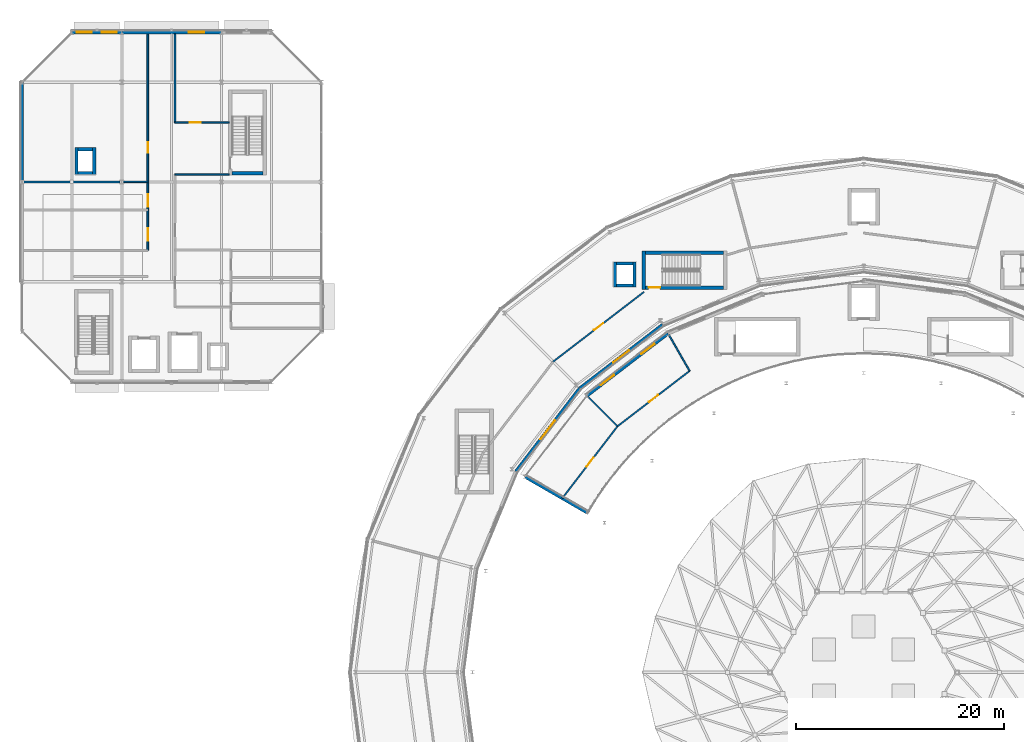
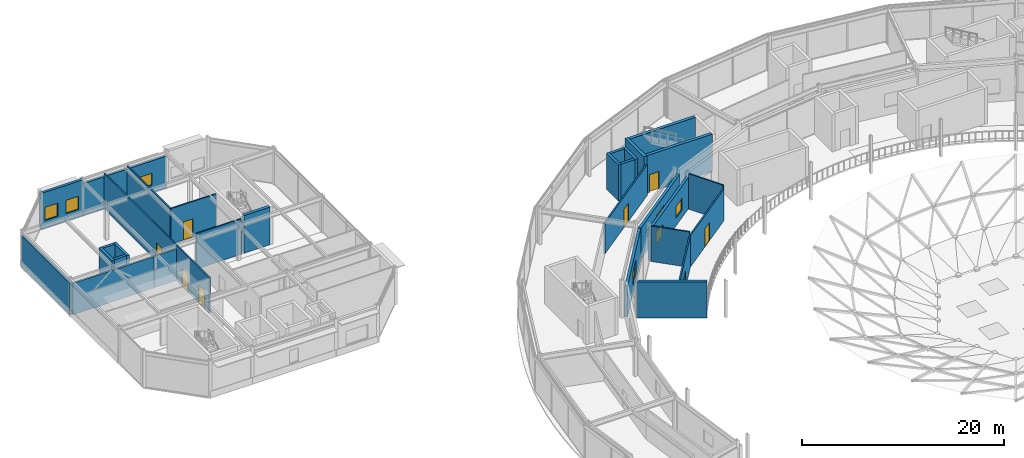
# One storey, part 85 of 116: 30 walls, 8 doors, 7 windows, 15 openings.
"""IFC4 building model written with IfcOpenShell, lengths in metres."""

import ifcopenshell
import ifcopenshell.guid

model = None  # the IFC model being written
_history = None  # IfcOwnerHistory: only IFC2X3 demands one
_inside = {}  # id of a spatial element -> (the spatial element, [elements in it])
_under = {}  # id of a project, library or spatial element -> (it, [spatial elements below it])
_declared = {}  # id of a project -> (the project, [libraries it declares])
_typed = {}  # id of a type object -> (the type object, [elements of that type])
_made_of = {}  # id of a material, layer set ... -> (it, [elements and type objects made of it])


def new_model(schema):
    """Start an empty IFC model of exactly this schema.

    Asked for "IFC4X3", IfcOpenShell would pick the latest addendum, in which some entities
    have other attributes; the version numbers below select the first issue.
    IFC2X3 requires an IfcOwnerHistory on every rooted entity: one is made here for all.
    """
    global model, _history
    if schema == "IFC4X3":
        model = ifcopenshell.file(schema_version=(4, 3, 0, 0))
    else:
        model = ifcopenshell.file(schema=schema)
    _inside.clear()
    _under.clear()
    _declared.clear()
    _typed.clear()
    _made_of.clear()
    _history = None
    if model.schema == "IFC2X3":
        org = make("IfcOrganization", Name="unknown")
        user = make(
            "IfcPersonAndOrganization",
            ThePerson=make("IfcPerson", FamilyName="unknown"),
            TheOrganization=org,
        )
        app = make(
            "IfcApplication",
            ApplicationDeveloper=org,
            Version="unknown",
            ApplicationFullName="unknown",
            ApplicationIdentifier="unknown",
        )
        _history = make(
            "IfcOwnerHistory",
            OwningUser=user,
            OwningApplication=app,
            ChangeAction="ADDED",
            CreationDate=0,
        )
    return model


def make(cls, **values):
    """One entity of the class cls with the attributes given. An attribute that is None is left unset."""
    return model.create_entity(
        cls, **{name: value for name, value in values.items() if value is not None}
    )


def rooted(cls, **values):
    """An entity with a GlobalId (a new one), such as an element, a storey or a relation."""
    return make(cls, GlobalId=ifcopenshell.guid.new(), OwnerHistory=_history, **values)


def si_unit(unit_type, name, prefix=None):
    """IfcSIUnit, for example si_unit("LENGTHUNIT", "METRE", prefix="MILLI")."""
    return make("IfcSIUnit", UnitType=unit_type, Prefix=prefix, Name=name)


def assignment(units):
    """IfcUnitAssignment: the units of a project."""
    return None if units is None else make("IfcUnitAssignment", Units=units)


def point(xyz):
    """IfcCartesianPoint."""
    return None if xyz is None else make("IfcCartesianPoint", Coordinates=xyz)


def direction(xyz):
    """IfcDirection."""
    return None if xyz is None else make("IfcDirection", DirectionRatios=xyz)


def frame(location, z_axis=None, x_axis=None):
    """IfcAxis2Placement3D, a coordinate frame: its origin and axes. An axis left out is left unset."""
    return make(
        "IfcAxis2Placement3D",
        Location=point(location),
        Axis=direction(z_axis),
        RefDirection=direction(x_axis),
    )


def frame_2d(location, x_axis=None):
    """IfcAxis2Placement2D, a coordinate frame in the plane: its origin and x axis."""
    return make(
        "IfcAxis2Placement2D", Location=point(location), RefDirection=direction(x_axis)
    )


def origin():
    """The frame at (0, 0, 0) with its axes left unset."""
    return frame((0.0, 0.0, 0.0))


def place(relative_to, where):
    """IfcLocalPlacement: puts the frame where relative to a parent placement (None: the world)."""
    return make(
        "IfcLocalPlacement", PlacementRelTo=relative_to, RelativePlacement=where
    )


def context(
    kind, dimensions, precision=None, world=None, true_north=None, identifier=None
):
    """IfcGeometricRepresentationContext, for example the 3D "Model" context."""
    return make(
        "IfcGeometricRepresentationContext",
        ContextIdentifier=identifier,
        ContextType=kind,
        CoordinateSpaceDimension=dimensions,
        Precision=precision,
        WorldCoordinateSystem=world,
        TrueNorth=true_north,
    )


def subcontext(parent, identifier, kind, view, scale=None):
    """IfcGeometricRepresentationSubContext, for example "Body" below "Model"."""
    return make(
        "IfcGeometricRepresentationSubContext",
        ContextIdentifier=identifier,
        ContextType=kind,
        ParentContext=parent,
        TargetScale=scale,
        TargetView=view,
    )


def project(units=None, contexts=None):
    """IfcProject with its units and contexts."""
    return rooted(
        "IfcProject",
        Name="project",
        RepresentationContexts=contexts,
        UnitsInContext=assignment(units),
    )


def spatial(cls, under=None, at=None, **own):
    """A site, building, storey or space (cls), placed at a placement, below another one or the project."""
    s = rooted(cls, ObjectPlacement=at, **own)
    if under is not None:
        _under.setdefault(under.id(), (under, []))[1].append(s)
    return s


def profile(cls, at=None, kind="AREA", **sizes):
    """A parametric profile (cls). Its sizes go by their IFC names, for example OverallWidth=200.0."""
    return make(cls, ProfileType=kind, Position=at, **sizes)


def rectangle(**sizes):
    """IfcRectangleProfileDef."""
    return profile("IfcRectangleProfileDef", **sizes)


def extrude(swept, where, along, depth):
    """IfcExtrudedAreaSolid: the profile swept, set in the frame where, extruded along a direction by depth."""
    return make(
        "IfcExtrudedAreaSolid",
        SweptArea=swept,
        Position=where,
        ExtrudedDirection=direction(along),
        Depth=depth,
    )


def shape(context_of_items, identifier, shape_type, items):
    """IfcShapeRepresentation: the items that make up one representation, for example the "Body"."""
    return make(
        "IfcShapeRepresentation",
        ContextOfItems=context_of_items,
        RepresentationIdentifier=identifier,
        RepresentationType=shape_type,
        Items=items,
    )


def material(Name=None, Category=None):
    """IfcMaterial."""
    return make("IfcMaterial", Name=Name, Category=Category)


def layer(
    of_material, thickness, ventilated=None, Name=None, Category=None, Priority=None
):
    """IfcMaterialLayer: one layer of a wall or slab, of a material (None: an air gap)."""
    return make(
        "IfcMaterialLayer",
        Material=of_material,
        LayerThickness=thickness,
        IsVentilated=ventilated,
        Name=Name,
        Category=Category,
        Priority=Priority,
    )


def layer_set(layers, Name=None):
    """IfcMaterialLayerSet."""
    return make("IfcMaterialLayerSet", MaterialLayers=layers, LayerSetName=Name)


def made_of(thing, what):
    """Note that an element or type object is made of a material, layer set ...; save() writes the relation."""
    if what is not None:
        _made_of.setdefault(what.id(), (what, []))[1].append(thing)
    return thing


def type_object(cls, material=None, **own):
    """A type object (cls), such as IfcWallType, which elements share."""
    return made_of(rooted(cls, **own), material)


def element(
    cls,
    number,
    at=None,
    inside=None,
    cuts=None,
    type_object=None,
    material=None,
    context=None,
    identifier="Body",
    shape_type=None,
    held_by="IfcProductDefinitionShape",
    body=None,
    shapes=None,
    **own,
):
    """One element of the class cls, such as IfcWall. Its Tag is "e" and its number.

    at: its placement. inside: the storey or other place that contains it. cuts: it is an
    opening in that element (IfcRelVoidsElement). A single representation is given by context,
    identifier, shape_type and body (its items); several are given by shapes. held_by: the class
    of the entity that holds the representations. save() writes the other relations.
    """
    e = rooted(cls, Tag="e%d" % number, ObjectPlacement=at, **own)
    if body is not None:
        shapes = [shape(context, identifier, shape_type, body)]
    if shapes is not None:
        e.Representation = make(held_by, Representations=shapes)
    if inside is not None:
        _inside.setdefault(inside.id(), (inside, []))[1].append(e)
    if cuts is not None:
        rooted(
            "IfcRelVoidsElement", RelatingBuildingElement=cuts, RelatedOpeningElement=e
        )
    if type_object is not None:
        _typed.setdefault(type_object.id(), (type_object, []))[1].append(e)
    return made_of(e, material)


def fill(opening, filler):
    """IfcRelFillsElement: the door or window that sits in an opening."""
    return rooted(
        "IfcRelFillsElement",
        RelatingOpeningElement=opening,
        RelatedBuildingElement=filler,
    )


def aggregate(whole, parts):
    """IfcRelAggregates: a whole, such as a stair, and the parts it consists of."""
    return rooted("IfcRelAggregates", RelatingObject=whole, RelatedObjects=parts)


def save(model, path):
    """Write the relations noted so far, then the file.

    IfcRelAggregates (storeys below a building ...), IfcRelContainedInSpatialStructure (elements
    in a storey), IfcRelDefinesByType, IfcRelAssociatesMaterial and IfcRelDeclares: one each for
    every whole, place, type object, material and project.
    """
    for whole, parts in _under.values():
        aggregate(whole, parts)
    for where, things in _inside.values():
        rooted(
            "IfcRelContainedInSpatialStructure",
            RelatedElements=things,
            RelatingStructure=where,
        )
    for kind, things in _typed.values():
        rooted("IfcRelDefinesByType", RelatedObjects=things, RelatingType=kind)
    for what, things in _made_of.values():
        rooted("IfcRelAssociatesMaterial", RelatedObjects=things, RelatingMaterial=what)
    for by, libraries in _declared.values():
        rooted("IfcRelDeclares", RelatingContext=by, RelatedDefinitions=libraries)
    model.write(path)


model = new_model("IFC4")

# Units and contexts
model_context = context("Model", 3, precision=1e-05, world=origin(), true_north=direction((0.0, 1.0)))
body_context = subcontext(model_context, "Body", "Model", "MODEL_VIEW")
ifc_project = project(units=[si_unit("LENGTHUNIT", "METRE"), si_unit("AREAUNIT", "SQUARE_METRE"), si_unit("VOLUMEUNIT", "CUBIC_METRE"), si_unit("PLANEANGLEUNIT", "RADIAN"), si_unit("MASSUNIT", "GRAM", prefix="KILO")], contexts=[model_context])

# Site, building, storey
site_placement = place(None, origin())
site = spatial("IfcSite", under=ifc_project, at=site_placement, CompositionType="ELEMENT")
building_placement = place(site_placement, origin())
building = spatial("IfcBuilding", under=site, at=building_placement, Name="Almandine Court Research Institute", CompositionType="ELEMENT")
storey_placement = place(building_placement, frame((0.0, 0.0, 14.35009765625)))
storey = spatial("IfcBuildingStorey", under=building, at=storey_placement, Name="L03", CompositionType="ELEMENT", Elevation=14.35009765625)

# Wall
ifc_material_1 = material(Name="Insulated Ochre Terracotta Rainscreen Wall", Category="masonry")
ifc_layer_1 = layer(ifc_material_1, 0.2900390625)
ifc_layer_set_1 = layer_set([ifc_layer_1], Name="Insulated Ochre Terracotta Rainscreen Wall")
wall_type_1 = type_object("IfcWallType", Name="Wall-EXT-TERR-290", PredefinedType="SOLIDWALL", material=ifc_layer_set_1)
wall_1_placement = place(storey_placement, frame((6.0, 103.2041015625, 0.0), z_axis=(0.0, 0.0, 1.0), x_axis=(0.0, 1.0, 0.0)))
element("IfcWall", 1, at=wall_1_placement, inside=storey, type_object=wall_type_1, Name="L03 Cleanroom West Wall 3", PredefinedType="SOLIDWALL", context=body_context, shape_type="SweptSolid", body=[
    extrude(rectangle(XDim=9.591796875, YDim=0.2900390625, at=frame_2d((4.7958984375, 0.0))), origin(), (0.0, 0.0, 1.0), 3.8837890625),
])

# Wall, openings, windows
wall_2_placement = place(storey_placement, frame((10.803955078125, 117.60009765625, 0.0), z_axis=(0.0, 0.0, 1.0), x_axis=(1.0, 0.0, 0.0)))
wall_2 = element("IfcWall", 2, at=wall_2_placement, inside=storey, type_object=wall_type_1, Name="L03 Cleanroom North Wall 1", PredefinedType="SOLIDWALL", context=body_context, shape_type="SweptSolid", body=[
    extrude(rectangle(XDim=4.7919921875, YDim=0.2900390625, at=frame_2d((2.39599609375, 0.0))), origin(), (0.0, 0.0, 1.0), 4.369873046875),
])
opening_1_placement = place(wall_2_placement, frame((0.472900390625, 0.0, 0.949951171875)))
opening_1 = element("IfcOpeningElement", 3, at=opening_1_placement, cuts=wall_2, Name="Opening WN-31", PredefinedType="OPENING", context=body_context, shape_type="SweptSolid", body=[
    extrude(rectangle(XDim=1.449951171875, YDim=1.590087890625, at=frame_2d((0.72509765625, 0.794921875))), frame((0.0, 0.155029296875, 0.0), z_axis=(0.0, -1.0, 0.0), x_axis=(1.0, 0.0, 0.0)), (0.0, 0.0, 1.0), 0.31005859375),
])
opening_2_placement = place(wall_2_placement, frame((2.868896484375, 0.0, 0.949951171875)))
opening_2 = element("IfcOpeningElement", 4, at=opening_2_placement, cuts=wall_2, Name="Opening WN-31", PredefinedType="OPENING", context=body_context, shape_type="SweptSolid", body=[
    extrude(rectangle(XDim=1.449951171875, YDim=1.590087890625, at=frame_2d((0.72509765625, 0.794921875))), frame((0.0, 0.155029296875, 0.0), z_axis=(0.0, -1.0, 0.0), x_axis=(1.0, 0.0, 0.0)), (0.0, 0.0, 1.0), 0.31005859375),
])
ifc_material_2 = material(Name="Thermally Broken Low-E Double-Glazed Window", Category="glass")
window_type_1 = type_object("IfcWindowType", Name="Win-WN-31-1450x1590", PartitioningType="SINGLE_PANEL", PredefinedType="WINDOW", material=ifc_material_2)
window_1_placement = place(opening_1_placement, origin())
window_1 = element("IfcWindow", 5, at=window_1_placement, inside=storey, type_object=window_type_1, Name="L03 Modular Recessed Low-E Window 47", OverallHeight=1.590087890625, OverallWidth=1.449951171875, PartitioningType="SINGLE_PANEL", PredefinedType="WINDOW", context=body_context, shape_type="SweptSolid", body=[
    extrude(rectangle(XDim=1.449951171875, YDim=1.590087890625, at=frame_2d((0.72509765625, 0.794921875))), frame((0.0, 0.030029296875, 0.0), z_axis=(0.0, -1.0, 0.0), x_axis=(1.0, 0.0, 0.0)), (0.0, 0.0, 1.0), 0.06005859375),
])
fill(opening_1, window_1)
window_2_placement = place(opening_2_placement, origin())
window_2 = element("IfcWindow", 6, at=window_2_placement, inside=storey, type_object=window_type_1, Name="L03 Modular Recessed Low-E Window 48", OverallHeight=1.590087890625, OverallWidth=1.449951171875, PartitioningType="SINGLE_PANEL", PredefinedType="WINDOW", context=body_context, shape_type="SweptSolid", body=[
    extrude(rectangle(XDim=1.449951171875, YDim=1.590087890625, at=frame_2d((0.72509765625, 0.794921875))), frame((0.0, 0.030029296875, 0.0), z_axis=(0.0, -1.0, 0.0), x_axis=(1.0, 0.0, 0.0)), (0.0, 0.0, 1.0), 0.06005859375),
])
fill(opening_2, window_2)

# Wall, opening, window
wall_3_placement = place(storey_placement, frame((15.60400390625, 117.60009765625, 0.0), z_axis=(0.0, 0.0, 1.0), x_axis=(1.0, 0.0, 0.0)))
wall_3 = element("IfcWall", 7, at=wall_3_placement, inside=storey, type_object=wall_type_1, Name="L03 Cleanroom North Wall 2", PredefinedType="SOLIDWALL", context=body_context, shape_type="SweptSolid", body=[
    extrude(rectangle(XDim=9.592041015625, YDim=0.2900390625, at=frame_2d((4.7958984375, 0.0))), origin(), (0.0, 0.0, 1.0), 3.8837890625),
])
opening_3_placement = place(wall_3_placement, frame((6.448974609375, 0.0, 0.949951171875)))
opening_3 = element("IfcOpeningElement", 8, at=opening_3_placement, cuts=wall_3, Name="Opening WN-32", PredefinedType="OPENING", context=body_context, shape_type="SweptSolid", body=[
    extrude(rectangle(XDim=1.489990234375, YDim=1.429931640625, at=frame_2d((0.7451171875, 0.71484375))), frame((0.0, 0.155029296875, 0.0), z_axis=(0.0, -1.0, 0.0), x_axis=(1.0, 0.0, 0.0)), (0.0, 0.0, 1.0), 0.31005859375),
])
window_type_2 = type_object("IfcWindowType", Name="Win-WN-32-1490x1430", PartitioningType="SINGLE_PANEL", PredefinedType="WINDOW", material=ifc_material_2)
window_3_placement = place(opening_3_placement, origin())
window_3 = element("IfcWindow", 9, at=window_3_placement, inside=storey, type_object=window_type_2, Name="L03 Modular Recessed Low-E Window 49", OverallHeight=1.429931640625, OverallWidth=1.489990234375, PartitioningType="SINGLE_PANEL", PredefinedType="WINDOW", context=body_context, shape_type="SweptSolid", body=[
    extrude(rectangle(XDim=1.489990234375, YDim=1.429931640625, at=frame_2d((0.7451171875, 0.71484375))), frame((0.0, 0.030029296875, 0.0), z_axis=(0.0, -1.0, 0.0), x_axis=(1.0, 0.0, 0.0)), (0.0, 0.0, 1.0), 0.06005859375),
])
fill(opening_3, window_3)

wall_4_placement = place(storey_placement, frame((67.6650390625, 89.47705078125, 0.0), z_axis=(0.0, 0.0, 1.0), x_axis=(-0.793371621275, -0.608737604027, 0.0)))
wall_4 = element("IfcWall", 10, at=wall_4_placement, inside=storey, type_object=wall_type_1, Name="L03 Drum Inner Gallery Wall 08", PredefinedType="SOLIDWALL", context=body_context, shape_type="SweptSolid", body=[
    extrude(rectangle(XDim=10.079833984375, YDim=0.2900390625, at=frame_2d((5.0400390625, 0.0))), origin(), (0.0, 0.0, 1.0), 3.81591796875),
])
opening_4_placement = place(wall_4_placement, frame((4.074951171875, 0.0, 0.949951171875)))
opening_4 = element("IfcOpeningElement", 11, at=opening_4_placement, cuts=wall_4, Name="Opening WN-115", PredefinedType="OPENING", context=body_context, shape_type="SweptSolid", body=[
    extrude(rectangle(XDim=1.929931640625, YDim=1.75, at=frame_2d((0.96484375, 0.875))), frame((0.0, 0.155029296875, 0.0), z_axis=(0.0, -1.0, 0.0), x_axis=(1.0, 0.0, 0.0)), (0.0, 0.0, 1.0), 0.31005859375),
])
window_type_3 = type_object("IfcWindowType", Name="Win-WN-115-1930x1750", PartitioningType="SINGLE_PANEL", PredefinedType="WINDOW", material=ifc_material_2)
window_4_placement = place(opening_4_placement, origin())
window_4 = element("IfcWindow", 12, at=window_4_placement, inside=storey, type_object=window_type_3, Name="L03 Modular Recessed Low-E Window 285", OverallHeight=1.75, OverallWidth=1.929931640625, PartitioningType="SINGLE_PANEL", PredefinedType="WINDOW", context=body_context, shape_type="SweptSolid", body=[
    extrude(rectangle(XDim=1.929931640625, YDim=1.75, at=frame_2d((0.96484375, 0.875))), frame((0.0, 0.030029296875, 0.0), z_axis=(0.0, -1.0, 0.0), x_axis=(1.0, 0.0, 0.0)), (0.0, 0.0, 1.0), 0.06005859375),
])
fill(opening_4, window_4)

wall_5_placement = place(storey_placement, frame((59.658935546875, 83.33203125, 0.0), z_axis=(0.0, 0.0, 1.0), x_axis=(-0.608737604027, -0.793371621275, 0.0)))
wall_5 = element("IfcWall", 13, at=wall_5_placement, inside=storey, type_object=wall_type_1, Name="L03 Drum Inner Gallery Wall 09", PredefinedType="SOLIDWALL", context=body_context, shape_type="SweptSolid", body=[
    extrude(rectangle(XDim=10.079833984375, YDim=0.2900390625, at=frame_2d((5.0400390625, 0.0))), origin(), (0.0, 0.0, 1.0), 3.81591796875),
])
opening_5_placement = place(wall_5_placement, frame((3.909912109375, 0.0, 0.949951171875)))
opening_5 = element("IfcOpeningElement", 14, at=opening_5_placement, cuts=wall_5, Name="Opening WN-98", PredefinedType="OPENING", context=body_context, shape_type="SweptSolid", body=[
    extrude(rectangle(XDim=2.260009765625, YDim=1.669921875, at=frame_2d((1.1298828125, 0.8349609375))), frame((0.0, 0.155029296875, 0.0), z_axis=(0.0, -1.0, 0.0), x_axis=(1.0, 0.0, 0.0)), (0.0, 0.0, 1.0), 0.31005859375),
])
window_type_4 = type_object("IfcWindowType", Name="Win-WN-98-2260x1670", PartitioningType="SINGLE_PANEL", PredefinedType="WINDOW", material=ifc_material_2)
window_5_placement = place(opening_5_placement, origin())
window_5 = element("IfcWindow", 15, at=window_5_placement, inside=storey, type_object=window_type_4, Name="L03 Modular Recessed Low-E Window 286", OverallHeight=1.669921875, OverallWidth=2.260009765625, PartitioningType="SINGLE_PANEL", PredefinedType="WINDOW", context=body_context, shape_type="SweptSolid", body=[
    extrude(rectangle(XDim=2.260009765625, YDim=1.669921875, at=frame_2d((1.1298828125, 0.8349609375))), frame((0.0, 0.030029296875, 0.0), z_axis=(0.0, -1.0, 0.0), x_axis=(1.0, 0.0, 0.0)), (0.0, 0.0, 1.0), 0.06005859375),
])
fill(opening_5, window_5)

# Wall, openings, windows
wall_6_placement = place(storey_placement, frame((60.381103515625, 82.625, 0.0), z_axis=(0.0, 0.0, 1.0), x_axis=(0.793364612762, 0.608746738158, 0.0)))
wall_6 = element("IfcWall", 16, at=wall_6_placement, inside=storey, type_object=wall_type_1, Name="L03 Interaction Atrium Perimeter Wall 08", PredefinedType="SOLIDWALL", context=body_context, shape_type="SweptSolid", body=[
    extrude(rectangle(XDim=9.8203125, YDim=0.2900390625, at=frame_2d((4.91015625, 0.0))), origin(), (0.0, 0.0, 1.0), 3.81591796875),
])
opening_6_placement = place(wall_6_placement, frame((1.655029296875, 0.0, 0.949951171875)))
opening_6 = element("IfcOpeningElement", 17, at=opening_6_placement, cuts=wall_6, Name="Opening WN-06", PredefinedType="OPENING", context=body_context, shape_type="SweptSolid", body=[
    extrude(rectangle(XDim=1.60009765625, YDim=1.39990234375, at=frame_2d((0.800048828125, 0.699951171875))), frame((0.0, 0.155029296875, 0.0), z_axis=(0.0, -1.0, 0.0), x_axis=(1.0, 0.0, 0.0)), (0.0, 0.0, 1.0), 0.31005859375),
])
opening_7_placement = place(wall_6_placement, frame((6.56494140625, 0.0, 0.949951171875)))
opening_7 = element("IfcOpeningElement", 18, at=opening_7_placement, cuts=wall_6, Name="Opening WN-06", PredefinedType="OPENING", context=body_context, shape_type="SweptSolid", body=[
    extrude(rectangle(XDim=1.60009765625, YDim=1.39990234375, at=frame_2d((0.800048828125, 0.699951171875))), frame((0.0, 0.155029296875, 0.0), z_axis=(0.0, -1.0, 0.0), x_axis=(1.0, 0.0, 0.0)), (0.0, 0.0, 1.0), 0.31005859375),
])
window_type_5 = type_object("IfcWindowType", Name="Win-WN-06-1600x1400", PartitioningType="SINGLE_PANEL", PredefinedType="WINDOW", material=ifc_material_2)
window_6_placement = place(opening_6_placement, origin())
window_6 = element("IfcWindow", 19, at=window_6_placement, inside=storey, type_object=window_type_5, Name="L03 Modular Recessed Low-E Window 380", OverallHeight=1.39990234375, OverallWidth=1.60009765625, PartitioningType="SINGLE_PANEL", PredefinedType="WINDOW", context=body_context, shape_type="SweptSolid", body=[
    extrude(rectangle(XDim=1.60009765625, YDim=1.39990234375, at=frame_2d((0.800048828125, 0.699951171875))), frame((0.0, 0.030029296875, 0.0), z_axis=(0.0, -1.0, 0.0), x_axis=(1.0, 0.0, 0.0)), (0.0, 0.0, 1.0), 0.06005859375),
])
fill(opening_6, window_6)
window_7_placement = place(opening_7_placement, origin())
window_7 = element("IfcWindow", 20, at=window_7_placement, inside=storey, type_object=window_type_5, Name="L03 Modular Recessed Low-E Window 381", OverallHeight=1.39990234375, OverallWidth=1.60009765625, PartitioningType="SINGLE_PANEL", PredefinedType="WINDOW", context=body_context, shape_type="SweptSolid", body=[
    extrude(rectangle(XDim=1.60009765625, YDim=1.39990234375, at=frame_2d((0.800048828125, 0.699951171875))), frame((0.0, 0.030029296875, 0.0), z_axis=(0.0, -1.0, 0.0), x_axis=(1.0, 0.0, 0.0)), (0.0, 0.0, 1.0), 0.06005859375),
])
fill(opening_7, window_7)

# Walls
wall_7_placement = place(storey_placement, frame((54.4150390625, 74.81298828125, 0.0), z_axis=(0.0, 0.0, 1.0), x_axis=(0.866028815679, -0.499994090379, 0.0)))
element("IfcWall", 21, at=wall_7_placement, inside=storey, type_object=wall_type_1, Name="L03 Atrium Gallery End Wall END", PredefinedType="SOLIDWALL", context=body_context, shape_type="SweptSolid", body=[
    extrude(rectangle(XDim=7.001953125, YDim=0.2900390625, at=frame_2d((3.5009765625, 0.0))), origin(), (0.0, 0.0, 1.0), 4.369873046875),
])
ifc_material_3 = material(Name="Two-Hour Fire-Barrier Enclosure Wall")
ifc_layer_2 = layer(ifc_material_3, 0.199951171875)
ifc_layer_set_2 = layer_set([ifc_layer_2], Name="Two-Hour Fire-Barrier Enclosure Wall")
wall_type_2 = type_object("IfcWallType", Name="Wall-FIRE-200", PredefinedType="SOLIDWALL", material=ifc_layer_set_2)
wall_8_placement = place(storey_placement, frame((6.159912109375, 103.199951171875, 0.0), z_axis=(0.0, 0.0, 1.0), x_axis=(1.0, 0.0, 0.0)))
element("IfcWall", 22, at=wall_8_placement, inside=storey, type_object=wall_type_2, Name="L03 Interior Partition W-BF-V3-BF1-L03", PredefinedType="SOLIDWALL", context=body_context, shape_type="SweptSolid", body=[
    extrude(rectangle(XDim=9.280029296875, YDim=0.199951171875, at=frame_2d((4.64013671875, 0.0))), origin(), (0.0, 0.0, 1.0), 3.81494140625),
])

# Wall, opening, door
ifc_material_4 = material(Name="Acoustic Steel-Stud Gypsum Partition Wall", Category="steel")
ifc_layer_3 = layer(ifc_material_4, 0.14990234375)
ifc_layer_set_3 = layer_set([ifc_layer_3], Name="Acoustic Steel-Stud Gypsum Partition Wall")
wall_type_3 = type_object("IfcWallType", Name="Wall-PART-150", PredefinedType="PARTITIONING", material=ifc_layer_set_3)
wall_9_placement = place(storey_placement, frame((20.719970703125, 108.89990234375, 0.0), z_axis=(0.0, 0.0, 1.0), x_axis=(1.0, 0.0, 0.0)))
wall_9 = element("IfcWall", 23, at=wall_9_placement, inside=storey, type_object=wall_type_3, Name="L03 Interior Partition W-V3-L03-CAL", PredefinedType="PARTITIONING", context=body_context, shape_type="SweptSolid", body=[
    extrude(rectangle(XDim=5.199951171875, YDim=0.14990234375, at=frame_2d((2.60009765625, 0.0))), origin(), (0.0, 0.0, 1.0), 4.2998046875),
])
opening_8_placement = place(wall_9_placement, frame((1.39990234375, 0.0, 0.0)))
opening_8 = element("IfcOpeningElement", 24, at=opening_8_placement, cuts=wall_9, Name="Opening D-03", PredefinedType="OPENING", context=body_context, shape_type="SweptSolid", body=[
    extrude(rectangle(XDim=1.10009765625, YDim=2.199951171875, at=frame_2d((0.550048828125, 1.10009765625))), frame((0.0, 0.0849609375, 0.0), z_axis=(0.0, -1.0, 0.0), x_axis=(1.0, 0.0, 0.0)), (0.0, 0.0, 1.0), 0.169921875),
])
ifc_material_5 = material(Name="Acoustic Vision-Panel Seminar Door")
door_type_1 = type_object("IfcDoorType", Name="Door-INT-1100", OperationType="NOTDEFINED", PredefinedType="DOOR", material=ifc_material_5)
door_1_placement = place(opening_8_placement, origin())
door_1 = element("IfcDoor", 25, at=door_1_placement, inside=storey, type_object=door_type_1, Name="L03 Calibration Suite Door", OperationType="SINGLE_SWING_RIGHT", OverallHeight=2.199951171875, OverallWidth=1.10009765625, PredefinedType="DOOR", context=body_context, shape_type="SweptSolid", body=[
    extrude(rectangle(XDim=1.10009765625, YDim=2.199951171875, at=frame_2d((0.550048828125, 1.10009765625))), frame((0.0, 0.02490234375, 0.0), z_axis=(0.0, -1.0, 0.0), x_axis=(1.0, 0.0, 0.0)), (0.0, 0.0, 1.0), 0.050048828125),
])
fill(opening_8, door_1)

# Wall
wall_10_placement = place(storey_placement, frame((20.719970703125, 108.89990234375, 0.0), z_axis=(0.0, 0.0, 1.0), x_axis=(0.0, 1.0, 0.0)))
element("IfcWall", 26, at=wall_10_placement, inside=storey, type_object=wall_type_3, Name="L03 Interior Partition W-V3-L03-CALW", PredefinedType="PARTITIONING", context=body_context, shape_type="SweptSolid", body=[
    extrude(rectangle(XDim=8.5400390625, YDim=0.14990234375, at=frame_2d((4.27001953125, 0.0))), origin(), (0.0, 0.0, 1.0), 4.2998046875),
])

# Wall, openings, doors
wall_11_placement = place(storey_placement, frame((18.10009765625, 96.6201171875, 0.0), z_axis=(0.0, 0.0, 1.0), x_axis=(0.0, 1.0, 0.0)))
wall_11 = element("IfcWall", 27, at=wall_11_placement, inside=storey, type_object=wall_type_3, Name="L03 Interior Partition W-V3-L03-CW", PredefinedType="PARTITIONING", context=body_context, shape_type="SweptSolid", body=[
    extrude(rectangle(XDim=20.81982421875, YDim=0.14990234375, at=frame_2d((10.409912109375, 0.0))), origin(), (0.0, 0.0, 1.0), 4.2998046875),
])
opening_9_placement = place(wall_11_placement, frame((0.89990234375, 0.0, 0.0)))
opening_9 = element("IfcOpeningElement", 28, at=opening_9_placement, cuts=wall_11, Name="Opening D-04", PredefinedType="OPENING", context=body_context, shape_type="SweptSolid", body=[
    extrude(rectangle(XDim=1.199951171875, YDim=2.199951171875, at=frame_2d((0.60009765625, 1.10009765625))), frame((0.0, 0.0849609375, 0.0), z_axis=(0.0, -1.0, 0.0), x_axis=(1.0, 0.0, 0.0)), (0.0, 0.0, 1.0), 0.169921875),
])
opening_10_placement = place(wall_11_placement, frame((4.199951171875, 0.0, 0.0)))
opening_10 = element("IfcOpeningElement", 29, at=opening_10_placement, cuts=wall_11, Name="Opening D-04", PredefinedType="OPENING", context=body_context, shape_type="SweptSolid", body=[
    extrude(rectangle(XDim=1.199951171875, YDim=2.199951171875, at=frame_2d((0.60009765625, 1.10009765625))), frame((0.0, 0.0849609375, 0.0), z_axis=(0.0, -1.0, 0.0), x_axis=(1.0, 0.0, 0.0)), (0.0, 0.0, 1.0), 0.169921875),
])
opening_11_placement = place(wall_11_placement, frame((9.39990234375, 0.0, 0.0)))
opening_11 = element("IfcOpeningElement", 30, at=opening_11_placement, cuts=wall_11, Name="Opening D-02", PredefinedType="OPENING", context=body_context, shape_type="SweptSolid", body=[
    extrude(rectangle(XDim=1.0, YDim=2.199951171875, at=frame_2d((0.5, 1.10009765625))), frame((0.0, 0.0849609375, 0.0), z_axis=(0.0, -1.0, 0.0), x_axis=(1.0, 0.0, 0.0)), (0.0, 0.0, 1.0), 0.169921875),
])
ifc_material_6 = material(Name="Solid-Core Timber Researcher Office Door", Category="wood")
door_type_2 = type_object("IfcDoorType", Name="Door-INT-1000", OperationType="NOTDEFINED", PredefinedType="DOOR", material=ifc_material_6)
door_2_placement = place(opening_11_placement, origin())
door_2 = element("IfcDoor", 31, at=door_2_placement, inside=storey, type_object=door_type_2, Name="L03 V3 Write-up Door", OperationType="SINGLE_SWING_LEFT", OverallHeight=2.199951171875, OverallWidth=1.0, PredefinedType="DOOR", context=body_context, shape_type="SweptSolid", body=[
    extrude(rectangle(XDim=1.0, YDim=2.199951171875, at=frame_2d((0.5, 1.10009765625))), frame((0.0, 0.02490234375, 0.0), z_axis=(0.0, -1.0, 0.0), x_axis=(1.0, 0.0, 0.0)), (0.0, 0.0, 1.0), 0.050048828125),
])
fill(opening_11, door_2)
ifc_material_7 = material(Name="Wide Acoustic Laboratory Suite Door")
door_type_3 = type_object("IfcDoorType", Name="Door-INT-1200", OperationType="NOTDEFINED", PredefinedType="DOOR", material=ifc_material_7)
door_3_placement = place(opening_9_placement, origin())
door_3 = element("IfcDoor", 32, at=door_3_placement, inside=storey, type_object=door_type_3, Name="L03 Photonics Lab Door", OperationType="SINGLE_SWING_LEFT", OverallHeight=2.199951171875, OverallWidth=1.199951171875, PredefinedType="DOOR", context=body_context, shape_type="SweptSolid", body=[
    extrude(rectangle(XDim=1.199951171875, YDim=2.199951171875, at=frame_2d((0.60009765625, 1.10009765625))), frame((0.0, 0.02490234375, 0.0), z_axis=(0.0, -1.0, 0.0), x_axis=(1.0, 0.0, 0.0)), (0.0, 0.0, 1.0), 0.050048828125),
])
fill(opening_9, door_3)
door_4_placement = place(opening_10_placement, origin())
door_4 = element("IfcDoor", 33, at=door_4_placement, inside=storey, type_object=door_type_3, Name="L03 Metrology Lab Door", OperationType="SINGLE_SWING_RIGHT", OverallHeight=2.199951171875, OverallWidth=1.199951171875, PredefinedType="DOOR", context=body_context, shape_type="SweptSolid", body=[
    extrude(rectangle(XDim=1.199951171875, YDim=2.199951171875, at=frame_2d((0.60009765625, 1.10009765625))), frame((0.0, 0.02490234375, 0.0), z_axis=(0.0, -1.0, 0.0), x_axis=(1.0, 0.0, 0.0)), (0.0, 0.0, 1.0), 0.050048828125),
])
fill(opening_10, door_4)

# Walls
wall_12_placement = place(storey_placement, frame((20.719970703125, 103.89990234375, 0.0), z_axis=(0.0, 0.0, 1.0), x_axis=(1.0, 0.0, 0.0)))
element("IfcWall", 34, at=wall_12_placement, inside=storey, type_object=wall_type_3, Name="L03 Interior Partition W-V3-L03-CEN", PredefinedType="PARTITIONING", context=body_context, shape_type="SweptSolid", body=[
    extrude(rectangle(XDim=5.199951171875, YDim=0.14990234375, at=frame_2d((2.60009765625, 0.0))), origin(), (0.0, 0.0, 1.0), 4.2998046875),
])
wall_13_placement = place(storey_placement, frame((15.550048828125, 103.199951171875, 0.0), z_axis=(0.0, 0.0, 1.0), x_axis=(1.0, 0.0, 0.0)))
element("IfcWall", 35, at=wall_13_placement, inside=storey, type_object=wall_type_3, Name="L03 Interior Partition W-V3-L03-SB", PredefinedType="PARTITIONING", context=body_context, shape_type="SweptSolid", body=[
    extrude(rectangle(XDim=2.550048828125, YDim=0.14990234375, at=frame_2d((1.27490234375, 0.0))), origin(), (0.0, 0.0, 1.0), 3.81494140625),
])

# Wall, opening, door
wall_14_placement = place(storey_placement, frame((65.860107421875, 92.615966796875, 0.0), z_axis=(0.0, 0.0, 1.0), x_axis=(-0.793301872689, -0.608828497024, 0.0)))
wall_14 = element("IfcWall", 36, at=wall_14_placement, inside=storey, type_object=wall_type_3, Name="L03 Interior Partition W-V5-L03-CHD-08", PredefinedType="PARTITIONING", context=body_context, shape_type="SweptSolid", body=[
    extrude(rectangle(XDim=11.03759765625, YDim=0.14990234375, at=frame_2d((5.518798828125, 0.0))), origin(), (0.0, 0.0, 1.0), 3.73779296875),
])
opening_12_placement = place(wall_14_placement, frame((4.949951171875, 0.0, 0.0)))
opening_12 = element("IfcOpeningElement", 37, at=opening_12_placement, cuts=wall_14, Name="Opening D-03", PredefinedType="OPENING", context=body_context, shape_type="SweptSolid", body=[
    extrude(rectangle(XDim=1.10009765625, YDim=2.199951171875, at=frame_2d((0.550048828125, 1.10009765625))), frame((0.0, 0.0849609375, 0.0), z_axis=(0.0, -1.0, 0.0), x_axis=(1.0, 0.0, 0.0)), (0.0, 0.0, 1.0), 0.169921875),
])
door_5_placement = place(opening_12_placement, origin())
door_5 = element("IfcDoor", 38, at=door_5_placement, inside=storey, type_object=door_type_1, Name="L03 Drum Calibration Suite Door", OperationType="SINGLE_SWING_RIGHT", OverallHeight=2.199951171875, OverallWidth=1.10009765625, PredefinedType="DOOR", context=body_context, shape_type="SweptSolid", body=[
    extrude(rectangle(XDim=1.10009765625, YDim=2.199951171875, at=frame_2d((0.550048828125, 1.10009765625))), frame((0.0, 0.02490234375, 0.0), z_axis=(0.0, -1.0, 0.0), x_axis=(1.0, 0.0, 0.0)), (0.0, 0.0, 1.0), 0.050048828125),
])
fill(opening_12, door_5)

wall_15_placement = place(storey_placement, frame((70.25, 85.011962890625, 0.0), z_axis=(0.0, 0.0, 1.0), x_axis=(-0.793338486697, -0.6087807861, 0.0)))
wall_15 = element("IfcWall", 39, at=wall_15_placement, inside=storey, type_object=wall_type_3, Name="L03 Interior Partition W-V2-L03-CHD-08", PredefinedType="PARTITIONING", context=body_context, shape_type="SweptSolid", body=[
    extrude(rectangle(XDim=8.745361328125, YDim=0.14990234375, at=frame_2d((4.37255859375, 0.0))), origin(), (0.0, 0.0, 1.0), 3.82080078125),
])
opening_13_placement = place(wall_15_placement, frame((3.822998046875, 0.0, 0.0)))
opening_13 = element("IfcOpeningElement", 40, at=opening_13_placement, cuts=wall_15, Name="Opening D-03", PredefinedType="OPENING", context=body_context, shape_type="SweptSolid", body=[
    extrude(rectangle(XDim=1.10009765625, YDim=2.199951171875, at=frame_2d((0.550048828125, 1.10009765625))), frame((0.0, 0.0849609375, 0.0), z_axis=(0.0, -1.0, 0.0), x_axis=(1.0, 0.0, 0.0)), (0.0, 0.0, 1.0), 0.169921875),
])
door_6_placement = place(opening_13_placement, origin())
door_6 = element("IfcDoor", 41, at=door_6_placement, inside=storey, type_object=door_type_1, Name="L03 Atrium Poster Exhibition Gallery Door", OperationType="SINGLE_SWING_RIGHT", OverallHeight=2.199951171875, OverallWidth=1.10009765625, PredefinedType="DOOR", context=body_context, shape_type="SweptSolid", body=[
    extrude(rectangle(XDim=1.10009765625, YDim=2.199951171875, at=frame_2d((0.550048828125, 1.10009765625))), frame((0.0, 0.02490234375, 0.0), z_axis=(0.0, -1.0, 0.0), x_axis=(1.0, 0.0, 0.0)), (0.0, 0.0, 1.0), 0.050048828125),
])
fill(opening_13, door_6)

wall_16_placement = place(storey_placement, frame((63.31201171875, 79.68798828125, 0.0), z_axis=(0.0, 0.0, 1.0), x_axis=(-0.6087807861, -0.793338486697, 0.0)))
wall_16 = element("IfcWall", 42, at=wall_16_placement, inside=storey, type_object=wall_type_3, Name="L03 Interior Partition W-V2-L03-CHD-09", PredefinedType="PARTITIONING", context=body_context, shape_type="SweptSolid", body=[
    extrude(rectangle(XDim=8.745361328125, YDim=0.14990234375, at=frame_2d((4.37255859375, 0.0))), origin(), (0.0, 0.0, 1.0), 3.82080078125),
])
opening_14_placement = place(wall_16_placement, frame((3.822998046875, 0.0, 0.0)))
opening_14 = element("IfcOpeningElement", 43, at=opening_14_placement, cuts=wall_16, Name="Opening D-03", PredefinedType="OPENING", context=body_context, shape_type="SweptSolid", body=[
    extrude(rectangle(XDim=1.10009765625, YDim=2.199951171875, at=frame_2d((0.550048828125, 1.10009765625))), frame((0.0, 0.0849609375, 0.0), z_axis=(0.0, -1.0, 0.0), x_axis=(1.0, 0.0, 0.0)), (0.0, 0.0, 1.0), 0.169921875),
])
door_7_placement = place(opening_14_placement, origin())
door_7 = element("IfcDoor", 44, at=door_7_placement, inside=storey, type_object=door_type_1, Name="L03 Atrium Collaboration Gallery Door", OperationType="SINGLE_SWING_LEFT", OverallHeight=2.199951171875, OverallWidth=1.10009765625, PredefinedType="DOOR", context=body_context, shape_type="SweptSolid", body=[
    extrude(rectangle(XDim=1.10009765625, YDim=2.199951171875, at=frame_2d((0.550048828125, 1.10009765625))), frame((0.0, 0.02490234375, 0.0), z_axis=(0.0, -1.0, 0.0), x_axis=(1.0, 0.0, 0.0)), (0.0, 0.0, 1.0), 0.050048828125),
])
fill(opening_14, door_7)

# Walls
wall_17_placement = place(storey_placement, frame((70.25, 85.011962890625, 0.0), z_axis=(0.0, 0.0, 1.0), x_axis=(-0.499972008543, 0.866041564056, 0.0)))
element("IfcWall", 45, at=wall_17_placement, inside=storey, type_object=wall_type_3, Name="L03 Interior Partition W-V2-L03-RAD-08", PredefinedType="PARTITIONING", context=body_context, shape_type="SweptSolid", body=[
    extrude(rectangle(XDim=3.980224609375, YDim=0.14990234375, at=frame_2d((1.990234375, 0.0))), origin(), (0.0, 0.0, 1.0), 4.2998046875),
])
wall_18_placement = place(storey_placement, frame((63.31201171875, 79.68798828125, 0.0), z_axis=(0.0, 0.0, 1.0), x_axis=(-0.707106781187, 0.707106781187, 0.0)))
element("IfcWall", 46, at=wall_18_placement, inside=storey, type_object=wall_type_3, Name="L03 Interior Partition W-V2-L03-RAD-09", PredefinedType="PARTITIONING", context=body_context, shape_type="SweptSolid", body=[
    extrude(rectangle(XDim=3.9794921875, YDim=0.14990234375, at=frame_2d((1.98974609375, 0.0))), origin(), (0.0, 0.0, 1.0), 4.2998046875),
])
ifc_material_8 = material(Name="Concrete C40/50", Category="concrete")
ifc_layer_4 = layer(ifc_material_8, 0.300048828125)
ifc_layer_set_4 = layer_set([ifc_layer_4], Name="Concrete C40/50")
wall_type_4 = type_object("IfcWallType", Name="Wall-SW-CORE-300", PredefinedType="SHEAR", material=ifc_layer_set_4)
wall_19_placement = place(storey_placement, frame((11.25, 103.89990234375, 0.0), z_axis=(0.0, 0.0, 1.0), x_axis=(0.0, 1.0, 0.0)))
element("IfcWall", 47, at=wall_19_placement, inside=storey, type_object=wall_type_4, Name="L03 MEP Riser RS-V3B W Shear Wall", PredefinedType="SHEAR", context=body_context, shape_type="SweptSolid", body=[
    extrude(rectangle(XDim=2.60009765625, YDim=0.300048828125, at=frame_2d((1.300048828125, 0.0))), origin(), (0.0, 0.0, 1.0), 4.369873046875),
])
wall_20_placement = place(storey_placement, frame((11.39990234375, 106.35009765625, 0.0), z_axis=(0.0, 0.0, 1.0), x_axis=(1.0, 0.0, 0.0)))
element("IfcWall", 48, at=wall_20_placement, inside=storey, type_object=wall_type_4, Name="L03 MEP Riser RS-V3B N Shear Wall", PredefinedType="SHEAR", context=body_context, shape_type="SweptSolid", body=[
    extrude(rectangle(XDim=1.400146484375, YDim=0.300048828125, at=frame_2d((0.7001953125, 0.0))), origin(), (0.0, 0.0, 1.0), 4.369873046875),
])
wall_21_placement = place(storey_placement, frame((12.949951171875, 106.5, 0.0), z_axis=(0.0, 0.0, 1.0), x_axis=(0.0, -1.0, 0.0)))
element("IfcWall", 49, at=wall_21_placement, inside=storey, type_object=wall_type_4, Name="L03 MEP Riser RS-V3B E Shear Wall", PredefinedType="SHEAR", context=body_context, shape_type="SweptSolid", body=[
    extrude(rectangle(XDim=2.60009765625, YDim=0.300048828125, at=frame_2d((1.300048828125, 0.0))), origin(), (0.0, 0.0, 1.0), 4.369873046875),
])
wall_22_placement = place(storey_placement, frame((12.800048828125, 104.050048828125, 0.0), z_axis=(0.0, 0.0, 1.0), x_axis=(-1.0, 0.0, 0.0)))
element("IfcWall", 50, at=wall_22_placement, inside=storey, type_object=wall_type_4, Name="L03 MEP Riser RS-V3B S Shear Wall", PredefinedType="SHEAR", context=body_context, shape_type="SweptSolid", body=[
    extrude(rectangle(XDim=1.400146484375, YDim=0.300048828125, at=frame_2d((0.7001953125, 0.0))), origin(), (0.0, 0.0, 1.0), 4.369873046875),
])
wall_23_placement = place(storey_placement, frame((63.050048828125, 93.10009765625, 0.0), z_axis=(0.0, 0.0, 1.0), x_axis=(0.0, 1.0, 0.0)))
element("IfcWall", 51, at=wall_23_placement, inside=storey, type_object=wall_type_4, Name="L03 MEP Riser RS-V5B W Shear Wall", PredefinedType="SHEAR", context=body_context, shape_type="SweptSolid", body=[
    extrude(rectangle(XDim=2.39990234375, YDim=0.300048828125, at=frame_2d((1.199951171875, 0.0))), origin(), (0.0, 0.0, 1.0), 4.369873046875),
])
wall_24_placement = place(storey_placement, frame((63.199951171875, 95.35009765625, 0.0), z_axis=(0.0, 0.0, 1.0), x_axis=(1.0, 0.0, 0.0)))
element("IfcWall", 52, at=wall_24_placement, inside=storey, type_object=wall_type_4, Name="L03 MEP Riser RS-V5B N Shear Wall", PredefinedType="SHEAR", context=body_context, shape_type="SweptSolid", body=[
    extrude(rectangle(XDim=1.60009765625, YDim=0.300048828125, at=frame_2d((0.800048828125, 0.0))), origin(), (0.0, 0.0, 1.0), 4.369873046875),
])
wall_25_placement = place(storey_placement, frame((64.949951171875, 95.5, 0.0), z_axis=(0.0, 0.0, 1.0), x_axis=(0.0, -1.0, 0.0)))
element("IfcWall", 53, at=wall_25_placement, inside=storey, type_object=wall_type_4, Name="L03 MEP Riser RS-V5B E Shear Wall", PredefinedType="SHEAR", context=body_context, shape_type="SweptSolid", body=[
    extrude(rectangle(XDim=2.39990234375, YDim=0.300048828125, at=frame_2d((1.199951171875, 0.0))), origin(), (0.0, 0.0, 1.0), 4.369873046875),
])
wall_26_placement = place(storey_placement, frame((64.800048828125, 93.25, 0.0), z_axis=(0.0, 0.0, 1.0), x_axis=(-1.0, 0.0, 0.0)))
element("IfcWall", 54, at=wall_26_placement, inside=storey, type_object=wall_type_4, Name="L03 MEP Riser RS-V5B S Shear Wall", PredefinedType="SHEAR", context=body_context, shape_type="SweptSolid", body=[
    extrude(rectangle(XDim=1.60009765625, YDim=0.300048828125, at=frame_2d((0.800048828125, 0.0))), origin(), (0.0, 0.0, 1.0), 4.369873046875),
])
ifc_layer_5 = layer(ifc_material_8, 0.35009765625)
ifc_layer_set_5 = layer_set([ifc_layer_5], Name="Concrete C40/50")
wall_type_5 = type_object("IfcWallType", Name="Wall-SW-CORE-350", PredefinedType="SHEAR", material=ifc_layer_set_5)
wall_27_placement = place(storey_placement, frame((29.199951171875, 104.02490234375, 0.0), z_axis=(0.0, 0.0, 1.0), x_axis=(-1.0, 0.0, 0.0)))
element("IfcWall", 55, at=wall_27_placement, inside=storey, type_object=wall_type_5, Name="L03 ST-06 S Shear Wall", PredefinedType="SHEAR", context=body_context, shape_type="SweptSolid", body=[
    extrude(rectangle(XDim=3.0, YDim=0.35009765625, at=frame_2d((1.5, 0.0))), origin(), (0.0, 0.0, 1.0), 4.5498046875),
])
wall_28_placement = place(storey_placement, frame((65.824951171875, 92.85009765625, 0.0), z_axis=(0.0, 0.0, 1.0), x_axis=(0.0, 1.0, 0.0)))
element("IfcWall", 56, at=wall_28_placement, inside=storey, type_object=wall_type_5, Name="L03 ST-10 W Shear Wall", PredefinedType="SHEAR", context=body_context, shape_type="SweptSolid", body=[
    extrude(rectangle(XDim=3.699951171875, YDim=0.35009765625, at=frame_2d((1.85009765625, 0.0))), origin(), (0.0, 0.0, 1.0), 4.5498046875),
])
wall_29_placement = place(storey_placement, frame((66.0, 96.375, 0.0), z_axis=(0.0, 0.0, 1.0), x_axis=(1.0, 0.0, 0.0)))
element("IfcWall", 57, at=wall_29_placement, inside=storey, type_object=wall_type_5, Name="L03 ST-10 N Shear Wall", PredefinedType="SHEAR", context=body_context, shape_type="SweptSolid", body=[
    extrude(rectangle(XDim=7.5, YDim=0.35009765625, at=frame_2d((3.75, 0.0))), origin(), (0.0, 0.0, 1.0), 4.5498046875),
])

# Wall, opening, door
wall_30_placement = place(storey_placement, frame((73.5, 93.02490234375, 0.0), z_axis=(0.0, 0.0, 1.0), x_axis=(-1.0, 0.0, 0.0)))
wall_30 = element("IfcWall", 58, at=wall_30_placement, inside=storey, type_object=wall_type_5, Name="L03 ST-10 S Shear Wall", PredefinedType="SHEAR", context=body_context, shape_type="SweptSolid", body=[
    extrude(rectangle(XDim=7.5, YDim=0.35009765625, at=frame_2d((3.75, 0.0))), origin(), (0.0, 0.0, 1.0), 4.5498046875),
])
opening_15_placement = place(wall_30_placement, frame((6.10009765625, 0.0, 0.0)))
opening_15 = element("IfcOpeningElement", 59, at=opening_15_placement, cuts=wall_30, Name="Opening FD-STAIR", PredefinedType="OPENING", context=body_context, shape_type="SweptSolid", body=[
    extrude(rectangle(XDim=1.10009765625, YDim=2.14990234375, at=frame_2d((0.550048828125, 1.074951171875))), frame((0.0, 0.18505859375, 0.0), z_axis=(0.0, -1.0, 0.0), x_axis=(1.0, 0.0, 0.0)), (0.0, 0.0, 1.0), 0.3701171875),
])
ifc_material_9 = material(Name="Self-Closing Steel Exit Stair Fire Door", Category="steel")
door_type_4 = type_object("IfcDoorType", Name="Door-FD-STAIR-1100", OperationType="NOTDEFINED", PredefinedType="DOOR", material=ifc_material_9)
door_8_placement = place(opening_15_placement, origin())
door_8 = element("IfcDoor", 60, at=door_8_placement, inside=storey, type_object=door_type_4, Name="L03 Exit Stair ST-10 Fire Door", OperationType="SINGLE_SWING_LEFT", OverallHeight=2.14990234375, OverallWidth=1.10009765625, PredefinedType="DOOR", context=body_context, shape_type="SweptSolid", body=[
    extrude(rectangle(XDim=1.10009765625, YDim=2.14990234375, at=frame_2d((0.550048828125, 1.074951171875))), frame((0.0, 0.02490234375, 0.0), z_axis=(0.0, -1.0, 0.0), x_axis=(1.0, 0.0, 0.0)), (0.0, 0.0, 1.0), 0.050048828125),
])
fill(opening_15, door_8)

save(model, "model.ifc")
